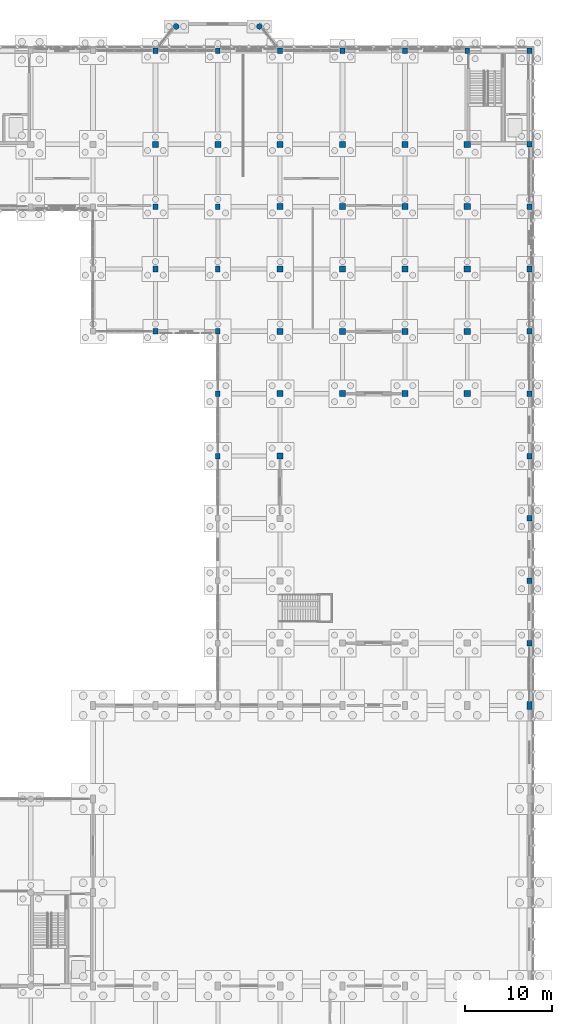
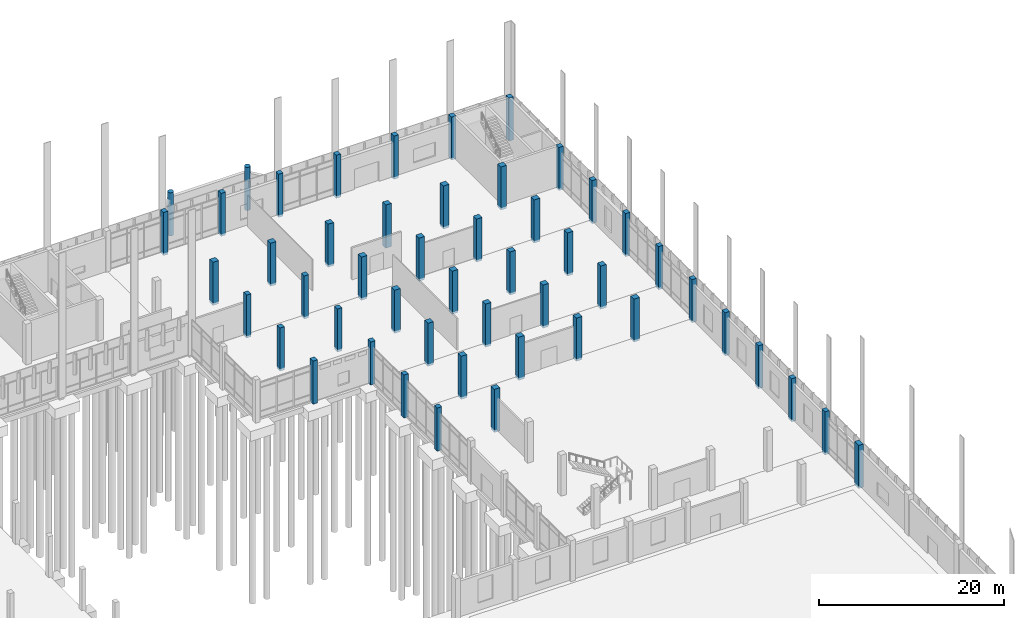
# One storey, part 25 of 109: 50 columns.
"""IFC4 building model written with IfcOpenShell, lengths in metres."""

from ifc_helpers import new_model, si_unit, direction, frame, origin, origin_2d, place, context, subcontext, project, spatial, rectangle, circle, extrude, material, material_profile, profile_set, type_object, element, save


model = new_model("IFC4")

# Units and contexts
model_context = context("Model", 3, precision=1e-05, world=origin(), true_north=direction((0.0, 1.0)))
body_context = subcontext(model_context, "Body", "Model", "MODEL_VIEW")
ifc_project = project(units=[si_unit("LENGTHUNIT", "METRE"), si_unit("AREAUNIT", "SQUARE_METRE"), si_unit("VOLUMEUNIT", "CUBIC_METRE"), si_unit("PLANEANGLEUNIT", "RADIAN"), si_unit("MASSUNIT", "GRAM", prefix="KILO")], contexts=[model_context])

# Site, building, storey
site_placement = place(None, origin())
site = spatial("IfcSite", under=ifc_project, at=site_placement, CompositionType="ELEMENT")
building_placement = place(site_placement, origin())
building = spatial("IfcBuilding", under=site, at=building_placement, Name="Lusvemor Sports Hall", CompositionType="ELEMENT")
storey_placement = place(building_placement, origin())
storey = spatial("IfcBuildingStorey", under=building, at=storey_placement, Name="L00", CompositionType="ELEMENT", Elevation=0.0)

# Columns
ifc_material_1 = material(Name="Concrete C40/50", Category="concrete")
ifc_material_profile_1 = material_profile(ifc_material_1, circle(Radius=0.324951171875, at=origin_2d()), Name="RCCIRC650")
ifc_profile_set_1 = profile_set([ifc_material_profile_1], Name="Concrete C40/50")
column_type_1 = type_object("IfcColumnType", Name="COL_COLONNADE", PredefinedType="COLUMN", material=ifc_profile_set_1)
for number, where, z_axis, x_axis, name in (
    (1, (128.39990234375, 118.0, -0.300048828125), (0.0, 0.0, 1.0), (1.0, 0.0, 0.0), "Art Nouveau Bow Column BOW-N3-1 (L00)"),
    (2, (138.0, 118.0, -0.300048828125), (0.0, 0.0, 1.0), (1.0, 0.0, 0.0), "Art Nouveau Bow Column BOW-N3-2 (L00)"),
):
    element("IfcColumn", number, at=place(storey_placement, frame(where, z_axis=z_axis, x_axis=x_axis)), inside=storey, type_object=column_type_1, Name=name, PredefinedType="COLUMN", context=body_context, shape_type="SweptSolid", body=[
        extrude(circle(Radius=0.324951171875, at=origin_2d()), origin(), (0.0, 0.0, 1.0), 5.699951171875),
    ])
ifc_material_2 = material(Name="Concrete C40/50", Category="concrete")
ifc_material_profile_2 = material_profile(ifc_material_2, rectangle(XDim=0.699951171875, YDim=0.699951171875, at=origin_2d()), Name="RC700x700")
ifc_profile_set_2 = profile_set([ifc_material_profile_2], Name="Concrete C40/50")
column_type_2 = type_object("IfcColumnType", Name="COL_HALL_I", PredefinedType="COLUMN", material=ifc_profile_set_2)
for number, where, z_axis, x_axis, name in (
    (3, (126.0, 104.39990234375, -0.300048828125), (0.0, 0.0, 1.0), (1.0, 0.0, 0.0), "Column 14/P (L00)"),
    (4, (133.199951171875, 104.39990234375, -0.300048828125), (0.0, 0.0, 1.0), (1.0, 0.0, 0.0), "Column 15/P (L00)"),
    (5, (140.39990234375, 68.39990234375, -0.300048828125), (0.0, 0.0, 1.0), (1.0, 0.0, 0.0), "Column 16/J (L00)"),
    (6, (140.39990234375, 75.60009765625, -0.300048828125), (0.0, 0.0, 1.0), (1.0, 0.0, 0.0), "Column 16/K (L00)"),
    (7, (140.39990234375, 82.800048828125, -0.300048828125), (0.0, 0.0, 1.0), (1.0, 0.0, 0.0), "Column 16/L (L00)"),
    (8, (140.39990234375, 90.0, -0.300048828125), (0.0, 0.0, 1.0), (1.0, 0.0, 0.0), "Column 16/M (L00)"),
    (9, (140.39990234375, 97.199951171875, -0.300048828125), (0.0, 0.0, 1.0), (1.0, 0.0, 0.0), "Column 16/N (L00)"),
    (10, (140.39990234375, 104.39990234375, -0.300048828125), (0.0, 0.0, 1.0), (1.0, 0.0, 0.0), "Column 16/P (L00)"),
    (11, (147.60009765625, 75.60009765625, -0.300048828125), (0.0, 0.0, 1.0), (1.0, 0.0, 0.0), "Column 17/K (L00)"),
    (12, (147.60009765625, 82.800048828125, -0.300048828125), (0.0, 0.0, 1.0), (1.0, 0.0, 0.0), "Column 17/L (L00)"),
    (13, (147.60009765625, 90.0, -0.300048828125), (0.0, 0.0, 1.0), (1.0, 0.0, 0.0), "Column 17/M (L00)"),
    (14, (147.60009765625, 97.199951171875, -0.300048828125), (0.0, 0.0, 1.0), (1.0, 0.0, 0.0), "Column 17/N (L00)"),
    (15, (147.60009765625, 104.39990234375, -0.300048828125), (0.0, 0.0, 1.0), (1.0, 0.0, 0.0), "Column 17/P (L00)"),
    (16, (154.800048828125, 75.60009765625, -0.300048828125), (0.0, 0.0, 1.0), (1.0, 0.0, 0.0), "Column 18/K (L00)"),
    (17, (154.800048828125, 82.800048828125, -0.300048828125), (0.0, 0.0, 1.0), (1.0, 0.0, 0.0), "Column 18/L (L00)"),
    (18, (154.800048828125, 90.0, -0.300048828125), (0.0, 0.0, 1.0), (1.0, 0.0, 0.0), "Column 18/M (L00)"),
    (19, (154.800048828125, 97.199951171875, -0.300048828125), (0.0, 0.0, 1.0), (1.0, 0.0, 0.0), "Column 18/N (L00)"),
    (20, (154.800048828125, 104.39990234375, -0.300048828125), (0.0, 0.0, 1.0), (1.0, 0.0, 0.0), "Column 18/P (L00)"),
    (21, (162.0, 75.60009765625, -0.300048828125), (0.0, 0.0, 1.0), (1.0, 0.0, 0.0), "Column 19/K (L00)"),
    (22, (162.0, 82.800048828125, -0.300048828125), (0.0, 0.0, 1.0), (1.0, 0.0, 0.0), "Column 19/L (L00)"),
    (23, (162.0, 90.0, -0.300048828125), (0.0, 0.0, 1.0), (1.0, 0.0, 0.0), "Column 19/M (L00)"),
    (24, (162.0, 97.199951171875, -0.300048828125), (0.0, 0.0, 1.0), (1.0, 0.0, 0.0), "Column 19/N (L00)"),
    (25, (162.0, 104.39990234375, -0.300048828125), (0.0, 0.0, 1.0), (1.0, 0.0, 0.0), "Column 19/P (L00)"),
):
    element("IfcColumn", number, at=place(storey_placement, frame(where, z_axis=z_axis, x_axis=x_axis)), inside=storey, type_object=column_type_2, Name=name, PredefinedType="COLUMN", context=body_context, shape_type="SweptSolid", body=[
        extrude(rectangle(XDim=0.699951171875, YDim=0.699951171875, at=origin_2d()), origin(), (0.0, 0.0, 1.0), 5.699951171875),
    ])
ifc_material_3 = material(Name="Concrete C40/50", Category="concrete")
ifc_material_profile_3 = material_profile(ifc_material_3, rectangle(XDim=0.60009765625, YDim=0.89990234375, at=origin_2d()), Name="RC600x900")
ifc_profile_set_3 = profile_set([ifc_material_profile_3], Name="Concrete C40/50")
column_type_3 = type_object("IfcColumnType", Name="COL_STACK_E", PredefinedType="COLUMN", material=ifc_profile_set_3)
column_placement = place(storey_placement, frame((169.199951171875, 39.60009765625, -0.300048828125), z_axis=(0.0, 0.0, 1.0), x_axis=(1.0, 0.0, 0.0)))
element("IfcColumn", 26, at=column_placement, inside=storey, type_object=column_type_3, Name="Column 20/E (L00)", PredefinedType="COLUMN", context=body_context, shape_type="SweptSolid", body=[
    extrude(rectangle(XDim=0.60009765625, YDim=0.89990234375, at=origin_2d()), origin(), (0.0, 0.0, 1.0), 5.699951171875),
])
ifc_material_4 = material(Name="Concrete C40/50", Category="concrete")
ifc_material_profile_4 = material_profile(ifc_material_4, rectangle(XDim=0.56005859375, YDim=0.639892578125, at=origin_2d()), Name="RC560x640")
ifc_profile_set_4 = profile_set([ifc_material_profile_4], Name="Concrete C40/50")
column_type_4 = type_object("IfcColumnType", Name="COL_WING_E", PredefinedType="COLUMN", material=ifc_profile_set_4)
for number, where, z_axis, x_axis, name in (
    (27, (126.0, 82.800048828125, -0.300048828125), (0.0, 0.0, 1.0), (1.0, 0.0, 0.0), "Column 14/L (L00)"),
    (28, (126.0, 90.0, -0.300048828125), (0.0, 0.0, 1.0), (1.0, 0.0, 0.0), "Column 14/M (L00)"),
    (29, (126.0, 97.199951171875, -0.300048828125), (0.0, 0.0, 1.0), (1.0, 0.0, 0.0), "Column 14/N (L00)"),
    (30, (126.0, 115.199951171875, -0.300048828125), (0.0, 0.0, 1.0), (1.0, 0.0, 0.0), "Column 14/Q (L00)"),
    (31, (133.199951171875, 68.39990234375, -0.300048828125), (0.0, 0.0, 1.0), (1.0, 0.0, 0.0), "Column 15/J (L00)"),
    (32, (133.199951171875, 75.60009765625, -0.300048828125), (0.0, 0.0, 1.0), (1.0, 0.0, 0.0), "Column 15/K (L00)"),
    (33, (133.199951171875, 82.800048828125, -0.300048828125), (0.0, 0.0, 1.0), (1.0, 0.0, 0.0), "Column 15/L (L00)"),
    (34, (133.199951171875, 90.0, -0.300048828125), (0.0, 0.0, 1.0), (1.0, 0.0, 0.0), "Column 15/M (L00)"),
    (35, (133.199951171875, 97.199951171875, -0.300048828125), (0.0, 0.0, 1.0), (1.0, 0.0, 0.0), "Column 15/N (L00)"),
    (36, (133.199951171875, 115.199951171875, -0.300048828125), (0.0, 0.0, 1.0), (1.0, 0.0, 0.0), "Column 15/Q (L00)"),
    (37, (140.39990234375, 115.199951171875, -0.300048828125), (0.0, 0.0, 1.0), (1.0, 0.0, 0.0), "Column 16/Q (L00)"),
    (38, (147.60009765625, 115.199951171875, -0.300048828125), (0.0, 0.0, 1.0), (1.0, 0.0, 0.0), "Column 17/Q (L00)"),
    (39, (154.800048828125, 115.199951171875, -0.300048828125), (0.0, 0.0, 1.0), (1.0, 0.0, 0.0), "Column 18/Q (L00)"),
    (40, (162.0, 115.199951171875, -0.300048828125), (0.0, 0.0, 1.0), (1.0, 0.0, 0.0), "Column 19/Q (L00)"),
    (41, (169.199951171875, 46.800048828125, -0.300048828125), (0.0, 0.0, 1.0), (1.0, 0.0, 0.0), "Column 20/F (L00)"),
    (42, (169.199951171875, 54.0, -0.300048828125), (0.0, 0.0, 1.0), (1.0, 0.0, 0.0), "Column 20/G (L00)"),
    (43, (169.199951171875, 61.199951171875, -0.300048828125), (0.0, 0.0, 1.0), (1.0, 0.0, 0.0), "Column 20/H (L00)"),
    (44, (169.199951171875, 68.39990234375, -0.300048828125), (0.0, 0.0, 1.0), (1.0, 0.0, 0.0), "Column 20/J (L00)"),
    (45, (169.199951171875, 75.60009765625, -0.300048828125), (0.0, 0.0, 1.0), (1.0, 0.0, 0.0), "Column 20/K (L00)"),
    (46, (169.199951171875, 82.800048828125, -0.300048828125), (0.0, 0.0, 1.0), (1.0, 0.0, 0.0), "Column 20/L (L00)"),
    (47, (169.199951171875, 90.0, -0.300048828125), (0.0, 0.0, 1.0), (1.0, 0.0, 0.0), "Column 20/M (L00)"),
    (48, (169.199951171875, 97.199951171875, -0.300048828125), (0.0, 0.0, 1.0), (1.0, 0.0, 0.0), "Column 20/N (L00)"),
    (49, (169.199951171875, 104.39990234375, -0.300048828125), (0.0, 0.0, 1.0), (1.0, 0.0, 0.0), "Column 20/P (L00)"),
    (50, (169.199951171875, 115.199951171875, -0.300048828125), (0.0, 0.0, 1.0), (1.0, 0.0, 0.0), "Column 20/Q (L00)"),
):
    element("IfcColumn", number, at=place(storey_placement, frame(where, z_axis=z_axis, x_axis=x_axis)), inside=storey, type_object=column_type_4, Name=name, PredefinedType="COLUMN", context=body_context, shape_type="SweptSolid", body=[
        extrude(rectangle(XDim=0.56005859375, YDim=0.639892578125, at=origin_2d()), origin(), (0.0, 0.0, 1.0), 5.699951171875),
    ])

save(model, "model.ifc")
